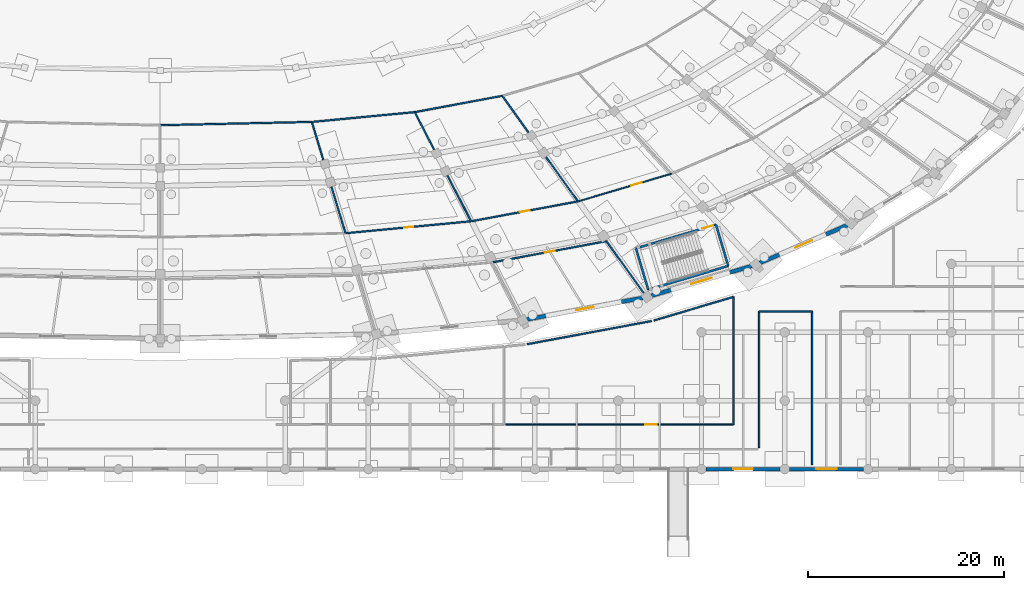
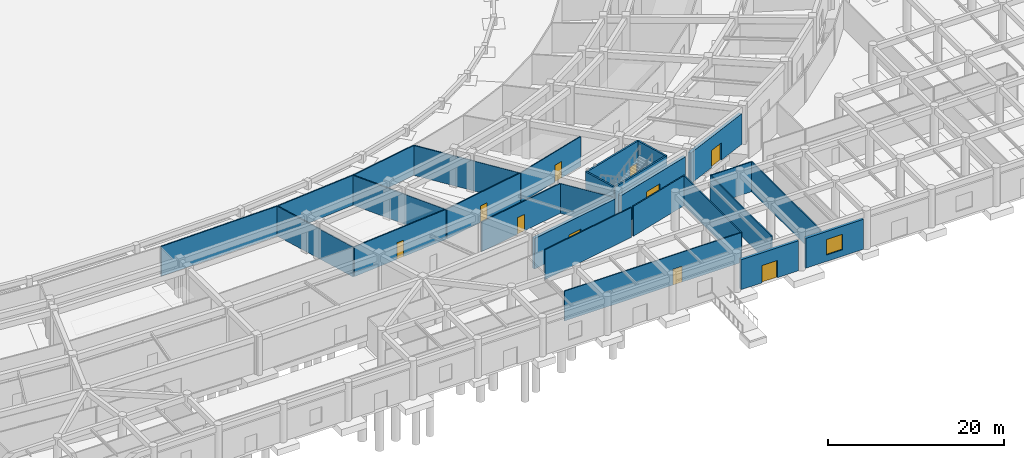
# One storey, part 49 of 88: 27 walls, 9 doors, 2 windows, 11 openings.
"""IFC4 building model written with IfcOpenShell, lengths in metres."""

from ifc_helpers import new_model, si_unit, direction, frame, frame_2d, origin, place, context, subcontext, project, spatial, rectangle, extrude, material, layer, layer_set, type_object, element, fill, save


model = new_model("IFC4")

# Units and contexts
model_context = context("Model", 3, precision=1e-05, world=origin(), true_north=direction((0.0, 1.0)))
body_context = subcontext(model_context, "Body", "Model", "MODEL_VIEW")
ifc_project = project(units=[si_unit("LENGTHUNIT", "METRE"), si_unit("AREAUNIT", "SQUARE_METRE"), si_unit("VOLUMEUNIT", "CUBIC_METRE"), si_unit("PLANEANGLEUNIT", "RADIAN"), si_unit("MASSUNIT", "GRAM", prefix="KILO")], contexts=[model_context])

# Site, building, storey
site_placement = place(None, origin())
site = spatial("IfcSite", under=ifc_project, at=site_placement, CompositionType="ELEMENT")
building_placement = place(site_placement, origin())
building = spatial("IfcBuilding", under=site, at=building_placement, Name="Mphavela Belvedere Stadium", CompositionType="ELEMENT")
storey_placement = place(building_placement, origin())
storey = spatial("IfcBuildingStorey", under=building, at=storey_placement, Name="L00", CompositionType="ELEMENT", Elevation=0.0)

# Walls
ifc_material_1 = material(Name="Concrete C40/50", Category="concrete")
ifc_layer_1 = layer(ifc_material_1, 0.219970703125)
ifc_layer_set_1 = layer_set([ifc_layer_1], Name="Concrete C40/50")
wall_type_1 = type_object("IfcWallType", Name="WAL-CORE-SHEAR-220", PredefinedType="SHEAR", material=ifc_layer_set_1)
wall_1_placement = place(storey_placement, frame((173.10498046875, 20.784912109375, 0.0), z_axis=(0.0, 0.0, 1.0), x_axis=(-0.958675743706, -0.284500998997, 0.0)))
element("IfcWall", 1, at=wall_1_placement, inside=storey, type_object=wall_type_1, Name="Core P04 shear wall L00 rear", PredefinedType="SHEAR", context=body_context, shape_type="SweptSolid", body=[
    extrude(rectangle(XDim=8.540283203125, YDim=0.219970703125, at=frame_2d((4.27001953125, 0.0))), origin(), (0.0, 0.0, 1.0), 5.14990234375),
])
wall_2_placement = place(storey_placement, frame((171.85009765625, 25.0126953125, 0.0), z_axis=(0.0, 0.0, 1.0), x_axis=(0.284548207311, -0.958661732686, 0.0)))
element("IfcWall", 2, at=wall_2_placement, inside=storey, type_object=wall_type_1, Name="Core P04 shear wall L00 left", PredefinedType="SHEAR", context=body_context, shape_type="SweptSolid", body=[
    extrude(rectangle(XDim=4.41015625, YDim=0.219970703125, at=frame_2d((2.205078125, 0.0))), origin(), (0.0, 0.0, 1.0), 5.14990234375),
])
wall_3_placement = place(storey_placement, frame((163.6630859375, 22.5830078125, 0.0), z_axis=(0.0, 0.0, 1.0), x_axis=(0.284497328872, -0.958676832861, 0.0)))
element("IfcWall", 3, at=wall_3_placement, inside=storey, type_object=wall_type_1, Name="Core P04 shear wall L00 right", PredefinedType="SHEAR", context=body_context, shape_type="SweptSolid", body=[
    extrude(rectangle(XDim=4.409912109375, YDim=0.219970703125, at=frame_2d((2.205078125, 0.0))), origin(), (0.0, 0.0, 1.0), 5.14990234375),
])

# Wall, opening, door
wall_4_placement = place(storey_placement, frame((171.85009765625, 25.0126953125, 0.0), z_axis=(0.0, 0.0, 1.0), x_axis=(-0.95867342973, -0.284508796227, 0.0)))
wall_4 = element("IfcWall", 4, at=wall_4_placement, inside=storey, type_object=wall_type_1, Name="Core P04 shear wall L00 front", PredefinedType="SHEAR", context=body_context, shape_type="SweptSolid", body=[
    extrude(rectangle(XDim=8.5400390625, YDim=0.219970703125, at=frame_2d((4.27001953125, 0.0))), origin(), (0.0, 0.0, 1.0), 5.14990234375),
])
opening_1_placement = place(wall_4_placement, frame((0.300048828125, 0.0, 0.0)))
opening_1 = element("IfcOpeningElement", 5, at=opening_1_placement, cuts=wall_4, Name="Opening SD-082", PredefinedType="OPENING", context=body_context, shape_type="SweptSolid", body=[
    extrude(rectangle(XDim=1.14990234375, YDim=2.14990234375, at=frame_2d((0.574951171875, 1.074951171875))), frame((0.0, 0.1201171875, 0.0), z_axis=(0.0, -1.0, 0.0), x_axis=(1.0, 0.0, 0.0)), (0.0, 0.0, 1.0), 0.239990234375),
])
ifc_material_2 = material(Name="Steel acoustic fire-resisting stair doorset", Category="steel")
door_type_1 = type_object("IfcDoorType", Name="DR-STAIR-FIRE-1150", OperationType="NOTDEFINED", PredefinedType="DOOR", material=ifc_material_2)
door_1_placement = place(opening_1_placement, origin())
door_1 = element("IfcDoor", 6, at=door_1_placement, inside=storey, type_object=door_type_1, Name="Escape stair fire door P04 L00", OperationType="SINGLE_SWING_RIGHT", OverallHeight=2.14990234375, OverallWidth=1.14990234375, PredefinedType="DOOR", context=body_context, shape_type="SweptSolid", body=[
    extrude(rectangle(XDim=1.14990234375, YDim=2.14990234375, at=frame_2d((0.574951171875, 1.074951171875))), frame((0.0, 0.02490234375, 0.0), z_axis=(0.0, -1.0, 0.0), x_axis=(1.0, 0.0, 0.0)), (0.0, 0.0, 1.0), 0.050048828125),
])
fill(opening_1, door_1)

ifc_material_3 = material(Name="Honed ashlar limestone masonry", Category="masonry")
ifc_layer_2 = layer(ifc_material_3, 0.35009765625)
ifc_layer_set_2 = layer_set([ifc_layer_2], Name="Honed ashlar limestone masonry")
wall_type_2 = type_object("IfcWallType", Name="WAL-EXT-ASHLAR-350", PredefinedType="STANDARD", material=ifc_layer_set_2)
wall_5_placement = place(storey_placement, frame((178.416015625, 0.0, 0.0), z_axis=(0.0, 0.0, 1.0), x_axis=(-1.0, 0.0, 0.0)))
wall_5 = element("IfcWall", 7, at=wall_5_placement, inside=storey, type_object=wall_type_2, Name="South Axial Triumphal Peristyle Portico outer facade bay L00-21", PredefinedType="STANDARD", context=body_context, shape_type="SweptSolid", body=[
    extrude(rectangle(XDim=7.572998046875, YDim=0.35009765625, at=frame_2d((3.78662109375, 0.0))), origin(), (0.0, 0.0, 1.0), 4.159912109375),
])
opening_2_placement = place(wall_5_placement, frame((2.78662109375, 0.0, 0.0)))
opening_2 = element("IfcOpeningElement", 8, at=opening_2_placement, cuts=wall_5, Name="Opening ED-035", PredefinedType="OPENING", context=body_context, shape_type="SweptSolid", body=[
    extrude(rectangle(XDim=2.0, YDim=2.39990234375, at=frame_2d((1.0, 1.199951171875))), frame((0.0, 0.18505859375, 0.0), z_axis=(0.0, -1.0, 0.0), x_axis=(1.0, 0.0, 0.0)), (0.0, 0.0, 1.0), 0.3701171875),
])
ifc_material_4 = material(Name="Glazed bronze-anodised steel exit doorset", Category="steel")
door_type_2 = type_object("IfcDoorType", Name="DR-EXT-03", OperationType="NOTDEFINED", PredefinedType="DOOR", material=ifc_material_4)
door_2_placement = place(opening_2_placement, origin())
door_2 = element("IfcDoor", 9, at=door_2_placement, inside=storey, type_object=door_type_2, Name="South Axial Triumphal Peristyle Portico ceremonial exit doorset ED-035", OperationType="DOUBLE_DOOR_SINGLE_SWING", OverallHeight=2.39990234375, OverallWidth=2.0, PredefinedType="DOOR", context=body_context, shape_type="SweptSolid", body=[
    extrude(rectangle(XDim=2.0, YDim=2.39990234375, at=frame_2d((1.0, 1.199951171875))), frame((0.0, 0.02490234375, 0.0), z_axis=(0.0, -1.0, 0.0), x_axis=(1.0, 0.0, 0.0)), (0.0, 0.0, 1.0), 0.050048828125),
])
fill(opening_2, door_2)

# Wall, opening, window
wall_6_placement = place(storey_placement, frame((186.93408203125, 0.0, 0.0), z_axis=(0.0, 0.0, 1.0), x_axis=(-1.0, 0.0, 0.0)))
wall_6 = element("IfcWall", 10, at=wall_6_placement, inside=storey, type_object=wall_type_2, Name="South Axial Triumphal Peristyle Portico outer facade bay L00-22", PredefinedType="STANDARD", context=body_context, shape_type="SweptSolid", body=[
    extrude(rectangle(XDim=7.572021484375, YDim=0.35009765625, at=frame_2d((3.7861328125, 0.0))), origin(), (0.0, 0.0, 1.0), 4.159912109375),
])
opening_3_placement = place(wall_6_placement, frame((2.74609375, 0.0, 0.89990234375)))
opening_3 = element("IfcOpeningElement", 11, at=opening_3_placement, cuts=wall_6, Name="Opening W-041", PredefinedType="OPENING", context=body_context, shape_type="SweptSolid", body=[
    extrude(rectangle(XDim=2.080078125, YDim=2.14990234375, at=frame_2d((1.0400390625, 1.074951171875))), frame((0.0, 0.18505859375, 0.0), z_axis=(0.0, -1.0, 0.0), x_axis=(1.0, 0.0, 0.0)), (0.0, 0.0, 1.0), 0.3701171875),
])
ifc_material_5 = material(Name="Bronze-anodised thermally broken aluminium window", Category="aluminium")
window_type_1 = type_object("IfcWindowType", Name="WIN-EXT-41", PartitioningType="SINGLE_PANEL", PredefinedType="WINDOW", material=ifc_material_5)
window_1_placement = place(opening_3_placement, origin())
window_1 = element("IfcWindow", 12, at=window_1_placement, inside=storey, type_object=window_type_1, Name="South Axial Triumphal Peristyle Portico classical window W-041", OverallHeight=2.14990234375, OverallWidth=2.080078125, PartitioningType="SINGLE_PANEL", PredefinedType="WINDOW", context=body_context, shape_type="SweptSolid", body=[
    extrude(rectangle(XDim=2.080078125, YDim=2.14990234375, at=frame_2d((1.0400390625, 1.074951171875))), frame((0.0, 0.030029296875, 0.0), z_axis=(0.0, -1.0, 0.0), x_axis=(1.0, 0.0, 0.0)), (0.0, 0.0, 1.0), 0.06005859375),
])
fill(opening_3, window_1)

# Wall, opening, door
ifc_material_6 = material(Name="Rusticated ashlar limestone masonry", Category="masonry")
ifc_layer_3 = layer(ifc_material_6, 0.39990234375)
ifc_layer_set_3 = layer_set([ifc_layer_3], Name="Rusticated ashlar limestone masonry")
wall_type_3 = type_object("IfcWallType", Name="WAL-EXT-ASHLAR-400", PredefinedType="STANDARD", material=ifc_layer_set_3)
wall_7_placement = place(storey_placement, frame((164.36083984375, 17.52099609375, 0.0), z_axis=(0.0, 0.0, 1.0), x_axis=(-0.983098943476, -0.183075031985, 0.0)))
wall_7 = element("IfcWall", 13, at=wall_7_placement, inside=storey, type_object=wall_type_3, Name="Ground plinth rusticated ashlar wall 39", PredefinedType="STANDARD", context=body_context, shape_type="SweptSolid", body=[
    extrude(rectangle(XDim=12.05126953125, YDim=0.39990234375, at=frame_2d((6.025634765625, 0.0))), origin(), (0.0, 0.0, 1.0), 4.25),
])
opening_4_placement = place(wall_7_placement, frame((5.125732421875, 0.0, 0.0)))
opening_4 = element("IfcOpeningElement", 14, at=opening_4_placement, cuts=wall_7, Name="Opening ED-017", PredefinedType="OPENING", context=body_context, shape_type="SweptSolid", body=[
    extrude(rectangle(XDim=1.800048828125, YDim=2.39990234375, at=frame_2d((0.89990234375, 1.199951171875))), frame((0.0, 0.2099609375, 0.0), z_axis=(0.0, -1.0, 0.0), x_axis=(1.0, 0.0, 0.0)), (0.0, 0.0, 1.0), 0.419921875),
])
ifc_material_7 = material(Name="Glazed bronze-anodised steel exit doorset", Category="steel")
door_type_3 = type_object("IfcDoorType", Name="DR-EXT-01", OperationType="NOTDEFINED", PredefinedType="DOOR", material=ifc_material_7)
door_3_placement = place(opening_4_placement, origin())
door_3 = element("IfcDoor", 15, at=door_3_placement, inside=storey, type_object=door_type_3, Name="Spectator final exit doorset ED-017", OperationType="DOUBLE_DOOR_SINGLE_SWING", OverallHeight=2.39990234375, OverallWidth=1.800048828125, PredefinedType="DOOR", context=body_context, shape_type="SweptSolid", body=[
    extrude(rectangle(XDim=1.800048828125, YDim=2.39990234375, at=frame_2d((0.89990234375, 1.199951171875))), frame((0.0, 0.02490234375, 0.0), z_axis=(0.0, -1.0, 0.0), x_axis=(1.0, 0.0, 0.0)), (0.0, 0.0, 1.0), 0.050048828125),
])
fill(opening_4, door_3)

# Wall, opening, window
wall_8_placement = place(storey_placement, frame((175.508056640625, 20.78125, 0.0), z_axis=(0.0, 0.0, 1.0), x_axis=(-0.958660844814, -0.284551198593, 0.0)))
wall_8 = element("IfcWall", 16, at=wall_8_placement, inside=storey, type_object=wall_type_3, Name="Ground plinth rusticated ashlar wall 40", PredefinedType="STANDARD", context=body_context, shape_type="SweptSolid", body=[
    extrude(rectangle(XDim=10.720458984375, YDim=0.39990234375, at=frame_2d((5.3603515625, 0.0))), origin(), (0.0, 0.0, 1.0), 4.25),
])
opening_5_placement = place(wall_8_placement, frame((4.250244140625, 0.0, 1.10009765625)))
opening_5 = element("IfcOpeningElement", 17, at=opening_5_placement, cuts=wall_8, Name="Opening W-009", PredefinedType="OPENING", context=body_context, shape_type="SweptSolid", body=[
    extrude(rectangle(XDim=2.219970703125, YDim=1.550048828125, at=frame_2d((1.10986328125, 0.77490234375))), frame((0.0, 0.2099609375, 0.0), z_axis=(0.0, -1.0, 0.0), x_axis=(1.0, 0.0, 0.0)), (0.0, 0.0, 1.0), 0.419921875),
])
ifc_material_8 = material(Name="Bronze-anodised thermally broken aluminium window", Category="aluminium")
window_type_2 = type_object("IfcWindowType", Name="WIN-EXT-09", PartitioningType="SINGLE_PANEL", PredefinedType="WINDOW", material=ifc_material_8)
window_2_placement = place(opening_5_placement, origin())
window_2 = element("IfcWindow", 18, at=window_2_placement, inside=storey, type_object=window_type_2, Name="Plinth classical window W-009", OverallHeight=1.550048828125, OverallWidth=2.219970703125, PartitioningType="SINGLE_PANEL", PredefinedType="WINDOW", context=body_context, shape_type="SweptSolid", body=[
    extrude(rectangle(XDim=2.219970703125, YDim=1.550048828125, at=frame_2d((1.10986328125, 0.77490234375))), frame((0.0, 0.030029296875, 0.0), z_axis=(0.0, -1.0, 0.0), x_axis=(1.0, 0.0, 0.0)), (0.0, 0.0, 1.0), 0.06005859375),
])
fill(opening_5, window_2)

# Wall, opening, door
wall_9_placement = place(storey_placement, frame((185.28515625, 24.9609375, 0.0), z_axis=(0.0, 0.0, 1.0), x_axis=(-0.917498309763, -0.397739678159, 0.0)))
wall_9 = element("IfcWall", 19, at=wall_9_placement, inside=storey, type_object=wall_type_3, Name="Ground plinth rusticated ashlar wall 41", PredefinedType="STANDARD", context=body_context, shape_type="SweptSolid", body=[
    extrude(rectangle(XDim=9.739990234375, YDim=0.39990234375, at=frame_2d((4.8701171875, 0.0))), origin(), (0.0, 0.0, 1.0), 4.25),
])
opening_6_placement = place(wall_9_placement, frame((3.920166015625, 0.0, 0.0)))
opening_6 = element("IfcOpeningElement", 20, at=opening_6_placement, cuts=wall_9, Name="Opening ED-018", PredefinedType="OPENING", context=body_context, shape_type="SweptSolid", body=[
    extrude(rectangle(XDim=1.89990234375, YDim=2.39990234375, at=frame_2d((0.949951171875, 1.199951171875))), frame((0.0, 0.2099609375, 0.0), z_axis=(0.0, -1.0, 0.0), x_axis=(1.0, 0.0, 0.0)), (0.0, 0.0, 1.0), 0.419921875),
])
ifc_material_9 = material(Name="Glazed bronze-anodised steel exit doorset", Category="steel")
door_type_4 = type_object("IfcDoorType", Name="DR-EXT-02", OperationType="NOTDEFINED", PredefinedType="DOOR", material=ifc_material_9)
door_4_placement = place(opening_6_placement, origin())
door_4 = element("IfcDoor", 21, at=door_4_placement, inside=storey, type_object=door_type_4, Name="Spectator final exit doorset ED-018", OperationType="DOUBLE_DOOR_SINGLE_SWING", OverallHeight=2.39990234375, OverallWidth=1.89990234375, PredefinedType="DOOR", context=body_context, shape_type="SweptSolid", body=[
    extrude(rectangle(XDim=1.89990234375, YDim=2.39990234375, at=frame_2d((0.949951171875, 1.199951171875))), frame((0.0, 0.02490234375, 0.0), z_axis=(0.0, -1.0, 0.0), x_axis=(1.0, 0.0, 0.0)), (0.0, 0.0, 1.0), 0.050048828125),
])
fill(opening_6, door_4)

ifc_material_10 = material(Name="Moisture-resistant sanitary partition assembly")
ifc_layer_4 = layer(ifc_material_10, 0.125)
ifc_layer_set_4 = layer_set([ifc_layer_4], Name="Moisture-resistant sanitary partition assembly")
wall_type_4 = type_object("IfcWallType", Name="WAL-PART-125", PredefinedType="PARTITIONING", material=ifc_layer_set_4)
wall_10_placement = place(storey_placement, frame((167.298828125, 30.218994140625, 0.0), z_axis=(0.0, 0.0, 1.0), x_axis=(-0.958655809656, -0.284568161629, 0.0)))
wall_10 = element("IfcWall", 22, at=wall_10_placement, inside=storey, type_object=wall_type_4, Name="Room L00-138 corridor partition", PredefinedType="PARTITIONING", context=body_context, shape_type="SweptSolid", body=[
    extrude(rectangle(XDim=9.89111328125, YDim=0.125, at=frame_2d((4.945556640625, 0.0))), origin(), (0.0, 0.0, 1.0), 4.14990234375),
])
opening_7_placement = place(wall_10_placement, frame((3.1728515625, 0.0, 0.0)))
opening_7 = element("IfcOpeningElement", 23, at=opening_7_placement, cuts=wall_10, Name="Opening ID-066", PredefinedType="OPENING", context=body_context, shape_type="SweptSolid", body=[
    extrude(rectangle(XDim=1.10009765625, YDim=2.300048828125, at=frame_2d((0.550048828125, 1.14990234375))), frame((0.0, 0.072509765625, 0.0), z_axis=(0.0, -1.0, 0.0), x_axis=(1.0, 0.0, 0.0)), (0.0, 0.0, 1.0), 0.14501953125),
])
ifc_material_11 = material(Name="Hardwood acoustic timber doorset", Category="wood")
door_type_5 = type_object("IfcDoorType", Name="DR-INT-30", OperationType="NOTDEFINED", PredefinedType="DOOR", material=ifc_material_11)
door_5_placement = place(opening_7_placement, origin())
door_5 = element("IfcDoor", 24, at=door_5_placement, inside=storey, type_object=door_type_5, Name="Room L00-138 entrance door ID-066", OperationType="SINGLE_SWING_RIGHT", OverallHeight=2.300048828125, OverallWidth=1.10009765625, PredefinedType="DOOR", context=body_context, shape_type="SweptSolid", body=[
    extrude(rectangle(XDim=1.10009765625, YDim=2.300048828125, at=frame_2d((0.550048828125, 1.14990234375))), frame((0.0, 0.02490234375, 0.0), z_axis=(0.0, -1.0, 0.0), x_axis=(1.0, 0.0, 0.0)), (0.0, 0.0, 1.0), 0.050048828125),
])
fill(opening_7, door_5)

wall_11_placement = place(storey_placement, frame((173.639892578125, 4.56005859375, 0.0), z_axis=(0.0, 0.0, 1.0), x_axis=(-1.0, 0.0, 0.0)))
wall_11 = element("IfcWall", 25, at=wall_11_placement, inside=storey, type_object=wall_type_4, Name="Room L00-179 corridor partition", PredefinedType="PARTITIONING", context=body_context, shape_type="SweptSolid", body=[
    extrude(rectangle(XDim=23.2958984375, YDim=0.125, at=frame_2d((11.64794921875, 0.0))), origin(), (0.0, 0.0, 1.0), 4.14990234375),
])
opening_8_placement = place(wall_11_placement, frame((7.822509765625, 0.0, 0.0)))
opening_8 = element("IfcOpeningElement", 26, at=opening_8_placement, cuts=wall_11, Name="Opening ID-381", PredefinedType="OPENING", context=body_context, shape_type="SweptSolid", body=[
    extrude(rectangle(XDim=1.219970703125, YDim=2.199951171875, at=frame_2d((0.60986328125, 1.10009765625))), frame((0.0, 0.072509765625, 0.0), z_axis=(0.0, -1.0, 0.0), x_axis=(1.0, 0.0, 0.0)), (0.0, 0.0, 1.0), 0.14501953125),
])
ifc_material_12 = material(Name="Hardwood acoustic timber doorset", Category="wood")
door_type_6 = type_object("IfcDoorType", Name="DR-INT-21", OperationType="NOTDEFINED", PredefinedType="DOOR", material=ifc_material_12)
door_6_placement = place(opening_8_placement, origin())
door_6 = element("IfcDoor", 27, at=door_6_placement, inside=storey, type_object=door_type_6, Name="Room L00-179 entrance door ID-381", OperationType="SINGLE_SWING_LEFT", OverallHeight=2.199951171875, OverallWidth=1.219970703125, PredefinedType="DOOR", context=body_context, shape_type="SweptSolid", body=[
    extrude(rectangle(XDim=1.219970703125, YDim=2.199951171875, at=frame_2d((0.60986328125, 1.10009765625))), frame((0.0, 0.02490234375, 0.0), z_axis=(0.0, -1.0, 0.0), x_axis=(1.0, 0.0, 0.0)), (0.0, 0.0, 1.0), 0.050048828125),
])
fill(opening_8, door_6)

ifc_material_13 = material(Name="Acoustic gypsum stud partition assembly")
ifc_layer_5 = layer(ifc_material_13, 0.14990234375)
ifc_layer_set_5 = layer_set([ifc_layer_5], Name="Acoustic gypsum stud partition assembly")
wall_type_5 = type_object("IfcWallType", Name="WAL-PART-150", PredefinedType="PARTITIONING", material=ifc_layer_set_5)
wall_12_placement = place(storey_placement, frame((146.799072265625, 25.354736328125, 0.0), z_axis=(0.0, 0.0, 1.0), x_axis=(-0.995485111947, -0.094917816515, 0.0)))
wall_12 = element("IfcWall", 28, at=wall_12_placement, inside=storey, type_object=wall_type_5, Name="Room L00-132 corridor partition", PredefinedType="PARTITIONING", context=body_context, shape_type="SweptSolid", body=[
    extrude(rectangle(XDim=12.822021484375, YDim=0.14990234375, at=frame_2d((6.4111328125, 0.0))), origin(), (0.0, 0.0, 1.0), 4.14990234375),
])
opening_9_placement = place(wall_12_placement, frame((5.94091796875, 0.0, 0.0)))
opening_9 = element("IfcOpeningElement", 29, at=opening_9_placement, cuts=wall_12, Name="Opening ID-062", PredefinedType="OPENING", context=body_context, shape_type="SweptSolid", body=[
    extrude(rectangle(XDim=0.93994140625, YDim=2.300048828125, at=frame_2d((0.469970703125, 1.14990234375))), frame((0.0, 0.0849609375, 0.0), z_axis=(0.0, -1.0, 0.0), x_axis=(1.0, 0.0, 0.0)), (0.0, 0.0, 1.0), 0.169921875),
])
ifc_material_14 = material(Name="Hardwood acoustic timber doorset", Category="wood")
door_type_7 = type_object("IfcDoorType", Name="DR-INT-26", OperationType="NOTDEFINED", PredefinedType="DOOR", material=ifc_material_14)
door_7_placement = place(opening_9_placement, origin())
door_7 = element("IfcDoor", 30, at=door_7_placement, inside=storey, type_object=door_type_7, Name="Room L00-132 entrance door ID-062", OperationType="SINGLE_SWING_RIGHT", OverallHeight=2.300048828125, OverallWidth=0.93994140625, PredefinedType="DOOR", context=body_context, shape_type="SweptSolid", body=[
    extrude(rectangle(XDim=0.93994140625, YDim=2.300048828125, at=frame_2d((0.469970703125, 1.14990234375))), frame((0.0, 0.02490234375, 0.0), z_axis=(0.0, -1.0, 0.0), x_axis=(1.0, 0.0, 0.0)), (0.0, 0.0, 1.0), 0.050048828125),
])
fill(opening_9, door_7)

wall_13_placement = place(storey_placement, frame((157.731689453125, 27.3857421875, 0.0), z_axis=(0.0, 0.0, 1.0), x_axis=(-0.983097372707, -0.183083466695, 0.0)))
wall_13 = element("IfcWall", 31, at=wall_13_placement, inside=storey, type_object=wall_type_5, Name="Room L00-135 corridor partition", PredefinedType="PARTITIONING", context=body_context, shape_type="SweptSolid", body=[
    extrude(rectangle(XDim=11.03466796875, YDim=0.14990234375, at=frame_2d((5.517333984375, 0.0))), origin(), (0.0, 0.0, 1.0), 4.14990234375),
])
opening_10_placement = place(wall_13_placement, frame((5.00732421875, 0.0, 0.0)))
opening_10 = element("IfcOpeningElement", 32, at=opening_10_placement, cuts=wall_13, Name="Opening ID-064", PredefinedType="OPENING", context=body_context, shape_type="SweptSolid", body=[
    extrude(rectangle(XDim=1.02001953125, YDim=2.300048828125, at=frame_2d((0.510009765625, 1.14990234375))), frame((0.0, 0.0849609375, 0.0), z_axis=(0.0, -1.0, 0.0), x_axis=(1.0, 0.0, 0.0)), (0.0, 0.0, 1.0), 0.169921875),
])
ifc_material_15 = material(Name="Hardwood acoustic timber doorset", Category="wood")
door_type_8 = type_object("IfcDoorType", Name="DR-INT-28", OperationType="NOTDEFINED", PredefinedType="DOOR", material=ifc_material_15)
door_8_placement = place(opening_10_placement, origin())
door_8 = element("IfcDoor", 33, at=door_8_placement, inside=storey, type_object=door_type_8, Name="Room L00-135 entrance door ID-064", OperationType="SINGLE_SWING_RIGHT", OverallHeight=2.300048828125, OverallWidth=1.02001953125, PredefinedType="DOOR", context=body_context, shape_type="SweptSolid", body=[
    extrude(rectangle(XDim=1.02001953125, YDim=2.300048828125, at=frame_2d((0.510009765625, 1.14990234375))), frame((0.0, 0.02490234375, 0.0), z_axis=(0.0, -1.0, 0.0), x_axis=(1.0, 0.0, 0.0)), (0.0, 0.0, 1.0), 0.050048828125),
])
fill(opening_10, door_8)

wall_14_placement = place(storey_placement, frame((149.055419921875, 21.1611328125, 0.0), z_axis=(0.0, 0.0, 1.0), x_axis=(0.983095748229, 0.183092189385, 0.0)))
wall_14 = element("IfcWall", 34, at=wall_14_placement, inside=storey, type_object=wall_type_5, Name="Room L00-136 corridor partition", PredefinedType="PARTITIONING", context=body_context, shape_type="SweptSolid", body=[
    extrude(rectangle(XDim=11.79296875, YDim=0.14990234375, at=frame_2d((5.896484375, 0.0))), origin(), (0.0, 0.0, 1.0), 4.14990234375),
])
opening_11_placement = place(wall_14_placement, frame((5.366455078125, 0.0, 0.0)))
opening_11 = element("IfcOpeningElement", 35, at=opening_11_placement, cuts=wall_14, Name="Opening ID-065", PredefinedType="OPENING", context=body_context, shape_type="SweptSolid", body=[
    extrude(rectangle(XDim=1.06005859375, YDim=2.300048828125, at=frame_2d((0.530029296875, 1.14990234375))), frame((0.0, 0.0849609375, 0.0), z_axis=(0.0, -1.0, 0.0), x_axis=(1.0, 0.0, 0.0)), (0.0, 0.0, 1.0), 0.169921875),
])
ifc_material_16 = material(Name="Hardwood acoustic timber doorset", Category="wood")
door_type_9 = type_object("IfcDoorType", Name="DR-INT-29", OperationType="NOTDEFINED", PredefinedType="DOOR", material=ifc_material_16)
door_9_placement = place(opening_11_placement, origin())
door_9 = element("IfcDoor", 36, at=door_9_placement, inside=storey, type_object=door_type_9, Name="Room L00-136 entrance door ID-065", OperationType="SINGLE_SWING_LEFT", OverallHeight=2.300048828125, OverallWidth=1.06005859375, PredefinedType="DOOR", context=body_context, shape_type="SweptSolid", body=[
    extrude(rectangle(XDim=1.06005859375, YDim=2.300048828125, at=frame_2d((0.530029296875, 1.14990234375))), frame((0.0, 0.02490234375, 0.0), z_axis=(0.0, -1.0, 0.0), x_axis=(1.0, 0.0, 0.0)), (0.0, 0.0, 1.0), 0.050048828125),
])
fill(opening_11, door_9)

# Walls
wall_15_placement = place(storey_placement, frame((115.0400390625, 35.183349609375, 0.0), z_axis=(0.0, 0.0, 1.0), x_axis=(0.999768149952, 0.021532448558, 0.0)))
element("IfcWall", 37, at=wall_15_placement, inside=storey, type_object=wall_type_5, Name="Room divider partition L00-0106", PredefinedType="PARTITIONING", context=body_context, shape_type="SweptSolid", body=[
    extrude(rectangle(XDim=15.476806640625, YDim=0.14990234375, at=frame_2d((7.73828125, 0.0))), origin(), (0.0, 0.0, 1.0), 4.14990234375),
])
wall_16_placement = place(storey_placement, frame((130.51318359375, 35.5166015625, 0.0), z_axis=(0.0, 0.0, 1.0), x_axis=(0.289240317571, -0.957256516662, 0.0)))
element("IfcWall", 38, at=wall_16_placement, inside=storey, type_object=wall_type_5, Name="Room divider partition L00-0107", PredefinedType="PARTITIONING", context=body_context, shape_type="SweptSolid", body=[
    extrude(rectangle(XDim=11.891357421875, YDim=0.14990234375, at=frame_2d((5.94580078125, 0.0))), origin(), (0.0, 0.0, 1.0), 4.14990234375),
])
wall_17_placement = place(storey_placement, frame((130.59521484375, 35.52197265625, 0.0), z_axis=(0.0, 0.0, 1.0), x_axis=(0.99548363917, 0.094933261529, 0.0)))
element("IfcWall", 39, at=wall_17_placement, inside=storey, type_object=wall_type_5, Name="Room divider partition L00-0109", PredefinedType="PARTITIONING", context=body_context, shape_type="SweptSolid", body=[
    extrude(rectangle(XDim=10.48486328125, YDim=0.14990234375, at=frame_2d((5.242431640625, 0.0))), origin(), (0.0, 0.0, 1.0), 4.14990234375),
])
wall_18_placement = place(storey_placement, frame((141.03271484375, 36.517333984375, 0.0), z_axis=(0.0, 0.0, 1.0), x_axis=(0.458958189589, -0.888457866311, 0.0)))
element("IfcWall", 40, at=wall_18_placement, inside=storey, type_object=wall_type_5, Name="Room divider partition L00-0110", PredefinedType="PARTITIONING", context=body_context, shape_type="SweptSolid", body=[
    extrude(rectangle(XDim=12.56396484375, YDim=0.14990234375, at=frame_2d((6.281982421875, 0.0))), origin(), (0.0, 0.0, 1.0), 4.14990234375),
])
wall_19_placement = place(storey_placement, frame((141.1162109375, 36.5302734375, 0.0), z_axis=(0.0, 0.0, 1.0), x_axis=(0.983094830755, 0.183097115603, 0.0)))
element("IfcWall", 41, at=wall_19_placement, inside=storey, type_object=wall_type_5, Name="Room divider partition L00-0112", PredefinedType="PARTITIONING", context=body_context, shape_type="SweptSolid", body=[
    extrude(rectangle(XDim=9.0205078125, YDim=0.14990234375, at=frame_2d((4.51025390625, 0.0))), origin(), (0.0, 0.0, 1.0), 4.14990234375),
])
wall_20_placement = place(storey_placement, frame((149.984130859375, 38.181884765625, 0.0), z_axis=(0.0, 0.0, 1.0), x_axis=(0.583032067708, -0.812449141808, 0.0)))
element("IfcWall", 42, at=wall_20_placement, inside=storey, type_object=wall_type_5, Name="Room divider partition L00-0113", PredefinedType="PARTITIONING", context=body_context, shape_type="SweptSolid", body=[
    extrude(rectangle(XDim=13.288330078125, YDim=0.14990234375, at=frame_2d((6.64404296875, 0.0))), origin(), (0.0, 0.0, 1.0), 4.14990234375),
])
wall_21_placement = place(storey_placement, frame((160.64892578125, 23.3203125, 0.0), z_axis=(0.0, 0.0, 1.0), x_axis=(0.58306104439, -0.812428346696, 0.0)))
element("IfcWall", 43, at=wall_21_placement, inside=storey, type_object=wall_type_5, Name="Room divider partition L00-0114", PredefinedType="PARTITIONING", context=body_context, shape_type="SweptSolid", body=[
    extrude(rectangle(XDim=6.51953125, YDim=0.14990234375, at=frame_2d((3.259765625, 0.0))), origin(), (0.0, 0.0, 1.0), 4.14990234375),
])
wall_22_placement = place(storey_placement, frame((176.260009765625, 2.199951171875, 0.0), z_axis=(0.0, 0.0, 1.0), x_axis=(0.0, 1.0, 0.0)))
element("IfcWall", 44, at=wall_22_placement, inside=storey, type_object=wall_type_5, Name="Room divider partition L00-0664", PredefinedType="PARTITIONING", context=body_context, shape_type="SweptSolid", body=[
    extrude(rectangle(XDim=13.93994140625, YDim=0.14990234375, at=frame_2d((6.969970703125, 0.0))), origin(), (0.0, 0.0, 1.0), 4.14990234375),
])
wall_23_placement = place(storey_placement, frame((176.260009765625, 16.139892578125, 0.0), z_axis=(0.0, 0.0, 1.0), x_axis=(1.0, 0.0, 0.0)))
element("IfcWall", 45, at=wall_23_placement, inside=storey, type_object=wall_type_5, Name="Room divider partition L00-0665", PredefinedType="PARTITIONING", context=body_context, shape_type="SweptSolid", body=[
    extrude(rectangle(XDim=5.429931640625, YDim=0.14990234375, at=frame_2d((2.71484375, 0.0))), origin(), (0.0, 0.0, 1.0), 4.14990234375),
])
wall_24_placement = place(storey_placement, frame((181.68994140625, 16.139892578125, 0.0), z_axis=(0.0, 0.0, 1.0), x_axis=(0.0, -1.0, 0.0)))
element("IfcWall", 46, at=wall_24_placement, inside=storey, type_object=wall_type_5, Name="Room divider partition L00-0666", PredefinedType="PARTITIONING", context=body_context, shape_type="SweptSolid", body=[
    extrude(rectangle(XDim=15.68994140625, YDim=0.14990234375, at=frame_2d((7.844970703125, 0.0))), origin(), (0.0, 0.0, 1.0), 4.14990234375),
])
wall_25_placement = place(storey_placement, frame((152.530517578125, 12.77490234375, 0.0), z_axis=(0.0, 0.0, 1.0), x_axis=(0.983094545276, 0.183098648406, 0.0)))
element("IfcWall", 47, at=wall_25_placement, inside=storey, type_object=wall_type_5, Name="Room divider partition L00-0696", PredefinedType="PARTITIONING", context=body_context, shape_type="SweptSolid", body=[
    extrude(rectangle(XDim=12.947265625, YDim=0.14990234375, at=frame_2d((6.4736328125, 0.0))), origin(), (0.0, 0.0, 1.0), 4.14990234375),
])
wall_26_placement = place(storey_placement, frame((165.5126953125, 15.20654296875, 0.0), z_axis=(0.0, 0.0, 1.0), x_axis=(0.95866000112, 0.284554041006, 0.0)))
element("IfcWall", 48, at=wall_26_placement, inside=storey, type_object=wall_type_5, Name="Room divider partition L00-0697", PredefinedType="PARTITIONING", context=body_context, shape_type="SweptSolid", body=[
    extrude(rectangle(XDim=8.477783203125, YDim=0.14990234375, at=frame_2d((4.23876953125, 0.0))), origin(), (0.0, 0.0, 1.0), 4.14990234375),
])
wall_27_placement = place(storey_placement, frame((173.639892578125, 17.618896484375, 0.0), z_axis=(0.0, 0.0, 1.0), x_axis=(0.0, -1.0, 0.0)))
element("IfcWall", 49, at=wall_27_placement, inside=storey, type_object=wall_type_5, Name="Room divider partition L00-0698", PredefinedType="PARTITIONING", context=body_context, shape_type="SweptSolid", body=[
    extrude(rectangle(XDim=13.058837890625, YDim=0.14990234375, at=frame_2d((6.529296875, 0.0))), origin(), (0.0, 0.0, 1.0), 4.14990234375),
])

save(model, "model.ifc")
